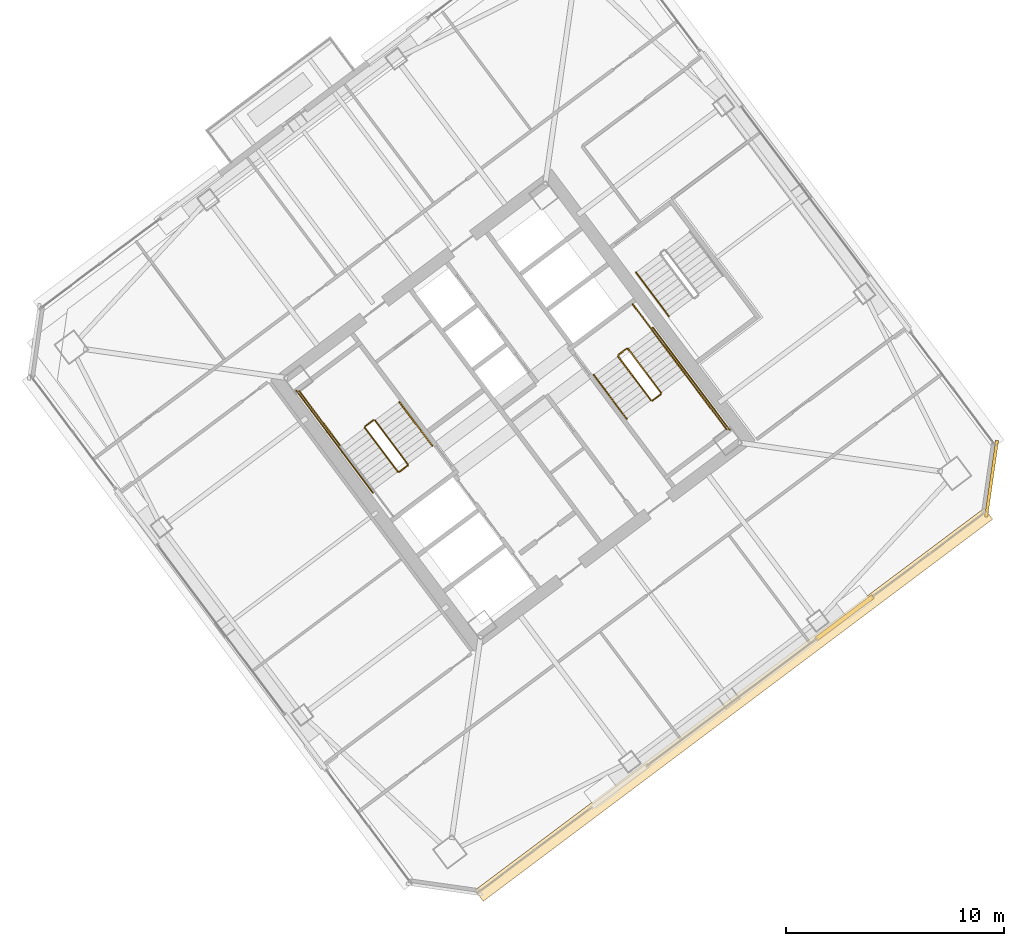
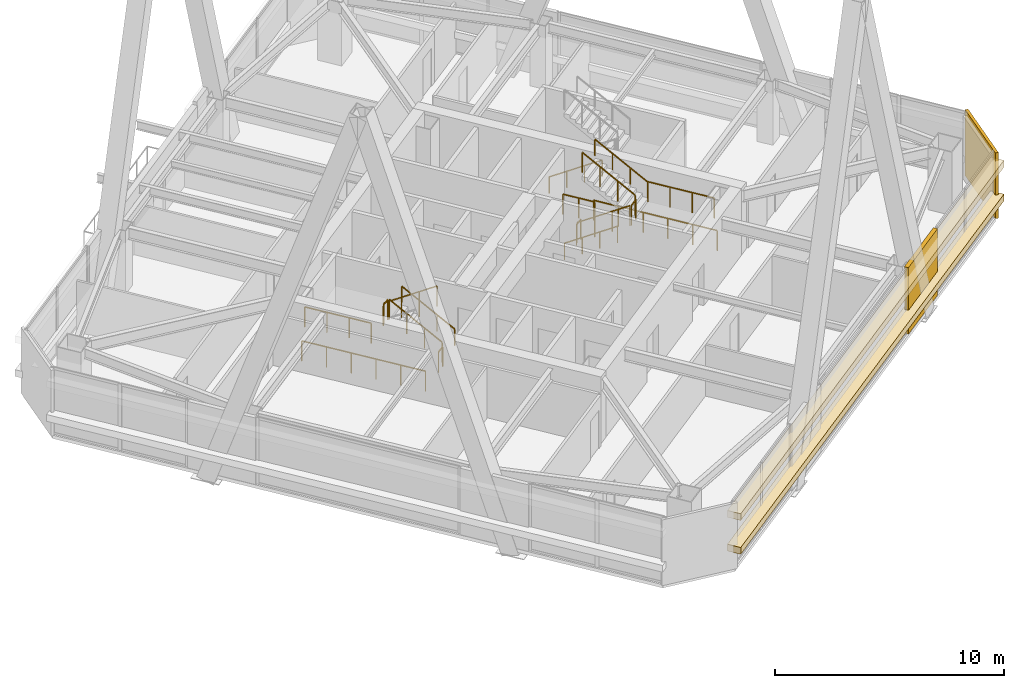
# One storey, part 53 of 55: 17 railings, 4 coverings.
"""IFC4 building model written with IfcOpenShell, lengths in metres."""

from ifc_helpers import new_model, si_unit, direction, frame, origin, origin_2d, place, context, subcontext, project, spatial, rectangle, extrude, material, layer, layer_set, type_object, element, save


model = new_model("IFC4")

# Units and contexts
model_context = context("Model", 3, precision=1e-05, world=origin(), true_north=direction((0.0, 1.0)))
body_context = subcontext(model_context, "Body", "Model", "MODEL_VIEW")
ifc_project = project(units=[si_unit("LENGTHUNIT", "METRE"), si_unit("AREAUNIT", "SQUARE_METRE"), si_unit("VOLUMEUNIT", "CUBIC_METRE"), si_unit("PLANEANGLEUNIT", "RADIAN"), si_unit("MASSUNIT", "GRAM", prefix="KILO")], contexts=[model_context])

# Site, building, storey
site_placement = place(None, origin())
site = spatial("IfcSite", under=ifc_project, at=site_placement, CompositionType="ELEMENT")
building_placement = place(site_placement, origin())
building = spatial("IfcBuilding", under=site, at=building_placement, Name="Tashvorn Skyway Center", CompositionType="ELEMENT")
storey_placement = place(building_placement, frame((0.0, 0.0, 178.300048828125)))
storey = spatial("IfcBuildingStorey", under=building, at=storey_placement, Name="L48", CompositionType="ELEMENT", Elevation=178.300048828125)

# Coverings
ifc_material_1 = material(Name="Precast concrete C40/50", Category="concrete")
ifc_layer_1 = layer(ifc_material_1, 0.199951171875)
ifc_layer_set_1 = layer_set([ifc_layer_1], Name="Precast concrete C40/50")
covering_type_1 = type_object("IfcCoveringType", Name="COV-BRACE-CLAD", PredefinedType="CLADDING", material=ifc_layer_set_1)
covering_1_placement = place(storey_placement, frame((129.251953125, 22.464111328125, 0.0), z_axis=(0.0, 0.0, 1.0), x_axis=(-0.799999996291, -0.600000004945, 0.0)))
element("IfcCovering", 1, at=covering_1_placement, inside=storey, type_object=covering_type_1, Name="Tower 2 L48 South Unitised Curtain Wall Mega-Brace Cladding Band 1", PredefinedType="CLADDING", context=body_context, shape_type="SweptSolid", body=[
    extrude(rectangle(XDim=3.239990234375, YDim=0.199951171875, at=origin_2d()), origin(), (0.0, 0.0, 1.0), 3.550048828125),
])
ifc_material_2 = material(Name="Perforated ceramic-coated bronze aluminium solar screen", Category="aluminium")
ifc_layer_2 = layer(ifc_material_2, 0.85009765625)
ifc_layer_set_2 = layer_set([ifc_layer_2], Name="Perforated ceramic-coated bronze aluminium solar screen")
covering_type_2 = type_object("IfcCoveringType", Name="COV-SOLAR-BAND", PredefinedType="CLADDING", material=ifc_layer_set_2)
for number, where, z_axis, x_axis, name in (
    (2, (124.152099609375, 18.464111328125, 0.919921875), (0.0, 0.0, 1.0), (-0.799999996291, -0.600000004945, 0.0), "L48 Perforated Ceramic-Metal Solar Screen Louvre Band South 1"),
    (3, (124.152099609375, 18.464111328125, 2.7197265625), (0.0, 0.0, 1.0), (-0.799999996291, -0.600000004945, 0.0), "L48 Perforated Ceramic-Metal Solar Screen Louvre Band South 2"),
):
    element("IfcCovering", number, at=place(storey_placement, frame(where, z_axis=z_axis, x_axis=x_axis)), inside=storey, type_object=covering_type_2, Name=name, PredefinedType="CLADDING", context=body_context, shape_type="SweptSolid", body=[
        extrude(rectangle(XDim=29.280029296875, YDim=0.639892578125, at=origin_2d()), origin(), (0.0, 0.0, 1.0), 0.360107421875),
    ])
ifc_layer_3 = layer(ifc_material_1, 0.35009765625)
ifc_layer_set_3 = layer_set([ifc_layer_3], Name="Precast concrete C40/50")
covering_type_3 = type_object("IfcCoveringType", Name="COV-STONE-TRIM", PredefinedType="CLADDING", material=ifc_layer_set_3)
covering_2_placement = place(storey_placement, frame((136.008056640625, 28.85595703125, 0.02001953125), z_axis=(0.0, 0.0, 1.0), x_axis=(0.141421350118, 0.989949494535, 0.0)))
element("IfcCovering", 4, at=covering_2_placement, inside=storey, type_object=covering_type_3, Name="Tower 2 L48 SE Mojave Limestone Corner Quoin", PredefinedType="CLADDING", context=body_context, shape_type="SweptSolid", body=[
    extrude(rectangle(XDim=3.55419921875, YDim=0.139892578125, at=origin_2d()), origin(), (0.0, 0.0, 1.0), 3.510009765625),
])

# Railings
ifc_material_3 = material(Name="Brushed stainless steel 316", Category="steel")
railing_type_1 = type_object("IfcRailingType", Name="RAIL-HAND-920", PredefinedType="HANDRAIL", material=ifc_material_3)
railing_1_placement = place(storey_placement, frame((110.2880859375, 30.365966796875, 0.177490234375)))
element("IfcRailing", 5, at=railing_1_placement, inside=storey, type_object=railing_type_1, Name="L48 ST-T2-1 stair handrail 1", PredefinedType="HANDRAIL", context=body_context, shape_type="SweptSolid", body=[
    extrude(rectangle(XDim=0.048095703125, YDim=0.048095703125, at=origin_2d()), frame((0.0, 0.0, 0.8759765625), z_axis=(-0.506801609611, 0.675680931896, 0.535357270211), x_axis=(-0.799976749893, -0.600030998891, 0.0)), (0.0, 0.0, 1.0), 2.98388671875),
    extrude(rectangle(XDim=0.0419921875, YDim=0.0419921875, at=origin_2d()), origin(), (0.0, 0.0, 1.0), 0.851806640625),
    extrude(rectangle(XDim=0.0419921875, YDim=0.0419921875, at=origin_2d()), frame((-0.504150390625, 0.672119140625, 0.532470703125)), (0.0, 0.0, 1.0), 0.851806640625),
    extrude(rectangle(XDim=0.0419921875, YDim=0.0419921875, at=origin_2d()), frame((-1.008056640625, 1.343994140625, 1.06494140625)), (0.0, 0.0, 1.0), 0.851806640625),
    extrude(rectangle(XDim=0.0419921875, YDim=0.0419921875, at=origin_2d()), frame((-1.51220703125, 2.01611328125, 1.597412109375)), (0.0, 0.0, 1.0), 0.851806640625),
])
railing_2_placement = place(storey_placement, frame((117.7119140625, 33.634033203125, 0.177490234375)))
element("IfcRailing", 6, at=railing_2_placement, inside=storey, type_object=railing_type_1, Name="L48 ST-T2-2 stair handrail 1", PredefinedType="HANDRAIL", context=body_context, shape_type="SweptSolid", body=[
    extrude(rectangle(XDim=0.048095703125, YDim=0.048095703125, at=origin_2d()), frame((0.0, 0.0, 0.8759765625), z_axis=(0.506801609611, -0.675680931896, 0.535357270211), x_axis=(0.799976749893, 0.600030998891, 0.0)), (0.0, 0.0, 1.0), 2.98388671875),
    extrude(rectangle(XDim=0.0419921875, YDim=0.0419921875, at=origin_2d()), origin(), (0.0, 0.0, 1.0), 0.851806640625),
    extrude(rectangle(XDim=0.0419921875, YDim=0.0419921875, at=origin_2d()), frame((0.504150390625, -0.672119140625, 0.532470703125)), (0.0, 0.0, 1.0), 0.851806640625),
    extrude(rectangle(XDim=0.0419921875, YDim=0.0419921875, at=origin_2d()), frame((1.008056640625, -1.343994140625, 1.06494140625)), (0.0, 0.0, 1.0), 0.851806640625),
    extrude(rectangle(XDim=0.0419921875, YDim=0.0419921875, at=origin_2d()), frame((1.51220703125, -2.01611328125, 1.597412109375)), (0.0, 0.0, 1.0), 0.851806640625),
])
railing_3_placement = place(storey_placement, frame((121.927978515625, 33.64599609375, 1.952392578125)))
element("IfcRailing", 7, at=railing_3_placement, inside=storey, type_object=railing_type_1, Name="L48 ST-T2-2 stair handrail 2", PredefinedType="HANDRAIL", context=body_context, shape_type="SweptSolid", body=[
    extrude(rectangle(XDim=0.048095703125, YDim=0.048095703125, at=origin_2d()), frame((0.0, 0.0, 0.8759765625), z_axis=(-0.506718600913, 0.675679348675, 0.535437836974), x_axis=(-0.800023250257, -0.599968998406, 0.0)), (0.0, 0.0, 1.0), 2.98388671875),
    extrude(rectangle(XDim=0.0419921875, YDim=0.0419921875, at=origin_2d()), origin(), (0.0, 0.0, 1.0), 0.851806640625),
    extrude(rectangle(XDim=0.0419921875, YDim=0.0419921875, at=origin_2d()), frame((-0.50390625, 0.672119140625, 0.532470703125)), (0.0, 0.0, 1.0), 0.851806640625),
    extrude(rectangle(XDim=0.0419921875, YDim=0.0419921875, at=origin_2d()), frame((-1.008056640625, 1.343994140625, 1.065185546875)), (0.0, 0.0, 1.0), 0.851806640625),
    extrude(rectangle(XDim=0.0419921875, YDim=0.0419921875, at=origin_2d()), frame((-1.511962890625, 2.01611328125, 1.59765625)), (0.0, 0.0, 1.0), 0.851806640625),
])
railing_4_placement = place(storey_placement, frame((119.656005859375, 38.342041015625, 0.177490234375)))
element("IfcRailing", 8, at=railing_4_placement, inside=storey, type_object=railing_type_1, Name="L48 ST-T2-3 stair handrail 1", PredefinedType="HANDRAIL", context=body_context, shape_type="SweptSolid", body=[
    extrude(rectangle(XDim=0.048095703125, YDim=0.048095703125, at=origin_2d()), frame((0.0, 0.0, 0.8759765625), z_axis=(0.506740800098, -0.675708949977, 0.535379469569), x_axis=(0.800023250257, 0.599968998406, 0.0)), (0.0, 0.0, 1.0), 2.983642578125),
    extrude(rectangle(XDim=0.0419921875, YDim=0.0419921875, at=origin_2d()), origin(), (0.0, 0.0, 1.0), 0.851806640625),
    extrude(rectangle(XDim=0.0419921875, YDim=0.0419921875, at=origin_2d()), frame((0.50390625, -0.672119140625, 0.532470703125)), (0.0, 0.0, 1.0), 0.851806640625),
    extrude(rectangle(XDim=0.0419921875, YDim=0.0419921875, at=origin_2d()), frame((1.008056640625, -1.343994140625, 1.06494140625)), (0.0, 0.0, 1.0), 0.851806640625),
    extrude(rectangle(XDim=0.0419921875, YDim=0.0419921875, at=origin_2d()), frame((1.511962890625, -2.01611328125, 1.597412109375)), (0.0, 0.0, 1.0), 0.851806640625),
])
ifc_material_4 = material(Name="Painted galvanized steel S355", Category="steel")
railing_type_2 = type_object("IfcRailingType", Name="RAIL-STGUARD-1100", PredefinedType="GUARDRAIL", material=ifc_material_4)
railing_5_placement = place(storey_placement, frame((109.16796875, 29.52587890625, 0.177490234375)))
element("IfcRailing", 9, at=railing_5_placement, inside=storey, type_object=railing_type_2, Name="L48 ST-T2-1 stair guard 1", PredefinedType="GUARDRAIL", context=body_context, shape_type="SweptSolid", body=[
    extrude(rectangle(XDim=0.048095703125, YDim=0.048095703125, at=origin_2d()), frame((0.0, 0.0, 1.076171875), z_axis=(-0.506740800098, 0.675708949977, 0.535379469569), x_axis=(-0.800023250257, -0.599968998406, 0.0)), (0.0, 0.0, 1.0), 2.983642578125),
    extrude(rectangle(XDim=0.0419921875, YDim=0.0419921875, at=origin_2d()), origin(), (0.0, 0.0, 1.0), 1.052001953125),
    extrude(rectangle(XDim=0.0419921875, YDim=0.0419921875, at=origin_2d()), frame((-0.50390625, 0.672119140625, 0.532470703125)), (0.0, 0.0, 1.0), 1.052001953125),
    extrude(rectangle(XDim=0.0419921875, YDim=0.0419921875, at=origin_2d()), frame((-1.008056640625, 1.343994140625, 1.06494140625)), (0.0, 0.0, 1.0), 1.052001953125),
    extrude(rectangle(XDim=0.0419921875, YDim=0.0419921875, at=origin_2d()), frame((-1.511962890625, 2.01611328125, 1.597412109375)), (0.0, 0.0, 1.0), 1.052001953125),
])
railing_6_placement = place(storey_placement, frame((107.5859375, 31.552001953125, 1.77490234375)))
element("IfcRailing", 10, at=railing_6_placement, inside=storey, type_object=railing_type_2, Name="L48 ST-T2-1 stair guard 2", PredefinedType="GUARDRAIL", context=body_context, shape_type="SweptSolid", body=[
    extrude(rectangle(XDim=0.048095703125, YDim=0.048095703125, at=origin_2d()), frame((0.0, 0.0, 1.076171875), z_axis=(-0.799938970639, -0.600081363861, 0.0), x_axis=(0.600081363861, -0.799938970639, 0.0)), (0.0, 0.0, 1.0), 0.47998046875),
    extrude(rectangle(XDim=0.0419921875, YDim=0.0419921875, at=origin_2d()), origin(), (0.0, 0.0, 1.0), 1.052001953125),
    extrude(rectangle(XDim=0.0419921875, YDim=0.0419921875, at=origin_2d()), frame((-0.384033203125, -0.2880859375, 0.0)), (0.0, 0.0, 1.0), 1.052001953125),
])
railing_7_placement = place(storey_placement, frame((106.072021484375, 30.35400390625, 1.77490234375)))
element("IfcRailing", 11, at=railing_7_placement, inside=storey, type_object=railing_type_2, Name="L48 ST-T2-1 stair guard 3", PredefinedType="GUARDRAIL", context=body_context, shape_type="SweptSolid", body=[
    extrude(rectangle(XDim=0.048095703125, YDim=0.048095703125, at=origin_2d()), frame((0.0, 0.0, 1.076171875), z_axis=(-0.599987638607, 0.800009270896, 0.0), x_axis=(-0.800009270896, -0.599987638607, 0.0)), (0.0, 0.0, 1.0), 3.16015625),
    extrude(rectangle(XDim=0.0419921875, YDim=0.0419921875, at=origin_2d()), origin(), (0.0, 0.0, 1.0), 1.052001953125),
    extrude(rectangle(XDim=0.0419921875, YDim=0.0419921875, at=origin_2d()), frame((-0.632080078125, 0.8427734375, 0.0)), (0.0, 0.0, 1.0), 1.052001953125),
    extrude(rectangle(XDim=0.0419921875, YDim=0.0419921875, at=origin_2d()), frame((-1.263916015625, 1.685302734375, 0.0)), (0.0, 0.0, 1.0), 1.052001953125),
    extrude(rectangle(XDim=0.0419921875, YDim=0.0419921875, at=origin_2d()), frame((-1.89599609375, 2.528076171875, 0.0)), (0.0, 0.0, 1.0), 1.052001953125),
])
railing_8_placement = place(storey_placement, frame((107.19189453125, 31.194091796875, 1.952392578125)))
element("IfcRailing", 12, at=railing_8_placement, inside=storey, type_object=railing_type_2, Name="L48 ST-T2-1 stair guard 4", PredefinedType="GUARDRAIL", context=body_context, shape_type="SweptSolid", body=[
    extrude(rectangle(XDim=0.048095703125, YDim=0.048095703125, at=origin_2d()), frame((0.0, 0.0, 1.076171875), z_axis=(0.506779409603, -0.675651334276, 0.53541563714), x_axis=(0.799976749893, 0.600030998891, 0.0)), (0.0, 0.0, 1.0), 2.98388671875),
    extrude(rectangle(XDim=0.0419921875, YDim=0.0419921875, at=origin_2d()), origin(), (0.0, 0.0, 1.0), 1.052001953125),
    extrude(rectangle(XDim=0.0419921875, YDim=0.0419921875, at=origin_2d()), frame((0.504150390625, -0.672119140625, 0.532470703125)), (0.0, 0.0, 1.0), 1.052001953125),
    extrude(rectangle(XDim=0.0419921875, YDim=0.0419921875, at=origin_2d()), frame((1.008056640625, -1.343994140625, 1.065185546875)), (0.0, 0.0, 1.0), 1.052001953125),
    extrude(rectangle(XDim=0.0419921875, YDim=0.0419921875, at=origin_2d()), frame((1.51220703125, -2.01611328125, 1.59765625)), (0.0, 0.0, 1.0), 1.052001953125),
])
railing_9_placement = place(storey_placement, frame((109.157958984375, 29.4560546875, 0.0)))
element("IfcRailing", 13, at=railing_9_placement, inside=storey, type_object=railing_type_2, Name="L48 ST-T2-1 stair guard 5", PredefinedType="GUARDRAIL", context=body_context, shape_type="SweptSolid", body=[
    extrude(rectangle(XDim=0.048095703125, YDim=0.048095703125, at=origin_2d()), frame((0.0, 0.0, 1.076171875), z_axis=(-0.799938970639, -0.600081363861, 0.0), x_axis=(0.600081363861, -0.799938970639, 0.0)), (0.0, 0.0, 1.0), 0.47998046875),
    extrude(rectangle(XDim=0.0419921875, YDim=0.0419921875, at=origin_2d()), origin(), (0.0, 0.0, 1.0), 1.052001953125),
    extrude(rectangle(XDim=0.0419921875, YDim=0.0419921875, at=origin_2d()), frame((-0.384033203125, -0.2880859375, 0.0)), (0.0, 0.0, 1.0), 1.052001953125),
])
railing_10_placement = place(storey_placement, frame((107.56396484375, 28.197998046875, 0.0)))
element("IfcRailing", 14, at=railing_10_placement, inside=storey, type_object=railing_type_2, Name="L48 ST-T2-1 stair guard 7", PredefinedType="GUARDRAIL", context=body_context, shape_type="SweptSolid", body=[
    extrude(rectangle(XDim=0.048095703125, YDim=0.048095703125, at=origin_2d()), frame((0.0, 0.0, 1.076171875), z_axis=(-0.6, 0.8, 0.0), x_axis=(-0.8, -0.6, 0.0)), (0.0, 0.0, 1.0), 5.880126953125),
    extrude(rectangle(XDim=0.0419921875, YDim=0.0419921875, at=origin_2d()), origin(), (0.0, 0.0, 1.0), 1.052001953125),
    extrude(rectangle(XDim=0.0419921875, YDim=0.0419921875, at=origin_2d()), frame((-0.70556640625, 0.94091796875, 0.0)), (0.0, 0.0, 1.0), 1.052001953125),
    extrude(rectangle(XDim=0.0419921875, YDim=0.0419921875, at=origin_2d()), frame((-1.4111328125, 1.881591796875, 0.0)), (0.0, 0.0, 1.0), 1.052001953125),
    extrude(rectangle(XDim=0.0419921875, YDim=0.0419921875, at=origin_2d()), frame((-2.116943359375, 2.822509765625, 0.0)), (0.0, 0.0, 1.0), 1.052001953125),
    extrude(rectangle(XDim=0.0419921875, YDim=0.0419921875, at=origin_2d()), frame((-2.822509765625, 3.76318359375, 0.0)), (0.0, 0.0, 1.0), 1.052001953125),
    extrude(rectangle(XDim=0.0419921875, YDim=0.0419921875, at=origin_2d()), frame((-3.528076171875, 4.7041015625, 0.0)), (0.0, 0.0, 1.0), 1.052001953125),
])
railing_11_placement = place(storey_placement, frame((118.83203125, 34.47412109375, 0.177490234375)))
element("IfcRailing", 15, at=railing_11_placement, inside=storey, type_object=railing_type_2, Name="L48 ST-T2-2 stair guard 1", PredefinedType="GUARDRAIL", context=body_context, shape_type="SweptSolid", body=[
    extrude(rectangle(XDim=0.048095703125, YDim=0.048095703125, at=origin_2d()), frame((0.0, 0.0, 1.076171875), z_axis=(0.506740800098, -0.675708949977, 0.535379469569), x_axis=(0.800023250257, 0.599968998406, 0.0)), (0.0, 0.0, 1.0), 2.983642578125),
    extrude(rectangle(XDim=0.0419921875, YDim=0.0419921875, at=origin_2d()), origin(), (0.0, 0.0, 1.0), 1.052001953125),
    extrude(rectangle(XDim=0.0419921875, YDim=0.0419921875, at=origin_2d()), frame((0.50390625, -0.672119140625, 0.532470703125)), (0.0, 0.0, 1.0), 1.052001953125),
    extrude(rectangle(XDim=0.0419921875, YDim=0.0419921875, at=origin_2d()), frame((1.008056640625, -1.343994140625, 1.06494140625)), (0.0, 0.0, 1.0), 1.052001953125),
    extrude(rectangle(XDim=0.0419921875, YDim=0.0419921875, at=origin_2d()), frame((1.511962890625, -2.01611328125, 1.597412109375)), (0.0, 0.0, 1.0), 1.052001953125),
])
railing_12_placement = place(storey_placement, frame((120.4140625, 32.447998046875, 1.77490234375)))
element("IfcRailing", 16, at=railing_12_placement, inside=storey, type_object=railing_type_2, Name="L48 ST-T2-2 stair guard 2", PredefinedType="GUARDRAIL", context=body_context, shape_type="SweptSolid", body=[
    extrude(rectangle(XDim=0.048095703125, YDim=0.048095703125, at=origin_2d()), frame((0.0, 0.0, 1.076171875), z_axis=(0.799938970639, 0.600081363861, 0.0), x_axis=(-0.600081363861, 0.799938970639, 0.0)), (0.0, 0.0, 1.0), 0.47998046875),
    extrude(rectangle(XDim=0.0419921875, YDim=0.0419921875, at=origin_2d()), origin(), (0.0, 0.0, 1.0), 1.052001953125),
    extrude(rectangle(XDim=0.0419921875, YDim=0.0419921875, at=origin_2d()), frame((0.384033203125, 0.2880859375, 0.0)), (0.0, 0.0, 1.0), 1.052001953125),
])
railing_13_placement = place(storey_placement, frame((121.927978515625, 33.64599609375, 1.77490234375)))
element("IfcRailing", 17, at=railing_13_placement, inside=storey, type_object=railing_type_2, Name="L48 ST-T2-2 stair guard 3", PredefinedType="GUARDRAIL", context=body_context, shape_type="SweptSolid", body=[
    extrude(rectangle(XDim=0.048095703125, YDim=0.048095703125, at=origin_2d()), frame((0.0, 0.0, 1.076171875), z_axis=(0.599987638607, -0.800009270896, 0.0), x_axis=(0.800009270896, 0.599987638607, 0.0)), (0.0, 0.0, 1.0), 3.16015625),
    extrude(rectangle(XDim=0.0419921875, YDim=0.0419921875, at=origin_2d()), origin(), (0.0, 0.0, 1.0), 1.052001953125),
    extrude(rectangle(XDim=0.0419921875, YDim=0.0419921875, at=origin_2d()), frame((0.632080078125, -0.8427734375, 0.0)), (0.0, 0.0, 1.0), 1.052001953125),
    extrude(rectangle(XDim=0.0419921875, YDim=0.0419921875, at=origin_2d()), frame((1.263916015625, -1.685302734375, 0.0)), (0.0, 0.0, 1.0), 1.052001953125),
    extrude(rectangle(XDim=0.0419921875, YDim=0.0419921875, at=origin_2d()), frame((1.89599609375, -2.528076171875, 0.0)), (0.0, 0.0, 1.0), 1.052001953125),
])
railing_14_placement = place(storey_placement, frame((120.80810546875, 32.805908203125, 1.952392578125)))
element("IfcRailing", 18, at=railing_14_placement, inside=storey, type_object=railing_type_2, Name="L48 ST-T2-2 stair guard 4", PredefinedType="GUARDRAIL", context=body_context, shape_type="SweptSolid", body=[
    extrude(rectangle(XDim=0.048095703125, YDim=0.048095703125, at=origin_2d()), frame((0.0, 0.0, 1.076171875), z_axis=(-0.506779409603, 0.675651334276, 0.53541563714), x_axis=(-0.799976749893, -0.600030998891, 0.0)), (0.0, 0.0, 1.0), 2.98388671875),
    extrude(rectangle(XDim=0.0419921875, YDim=0.0419921875, at=origin_2d()), origin(), (0.0, 0.0, 1.0), 1.052001953125),
    extrude(rectangle(XDim=0.0419921875, YDim=0.0419921875, at=origin_2d()), frame((-0.504150390625, 0.672119140625, 0.532470703125)), (0.0, 0.0, 1.0), 1.052001953125),
    extrude(rectangle(XDim=0.0419921875, YDim=0.0419921875, at=origin_2d()), frame((-1.008056640625, 1.343994140625, 1.065185546875)), (0.0, 0.0, 1.0), 1.052001953125),
    extrude(rectangle(XDim=0.0419921875, YDim=0.0419921875, at=origin_2d()), frame((-1.51220703125, 2.01611328125, 1.59765625)), (0.0, 0.0, 1.0), 1.052001953125),
])
railing_15_placement = place(storey_placement, frame((118.842041015625, 34.5439453125, 0.0)))
element("IfcRailing", 19, at=railing_15_placement, inside=storey, type_object=railing_type_2, Name="L48 ST-T2-2 stair guard 5", PredefinedType="GUARDRAIL", context=body_context, shape_type="SweptSolid", body=[
    extrude(rectangle(XDim=0.048095703125, YDim=0.048095703125, at=origin_2d()), frame((0.0, 0.0, 1.076171875), z_axis=(0.799938970639, 0.600081363861, 0.0), x_axis=(-0.600081363861, 0.799938970639, 0.0)), (0.0, 0.0, 1.0), 0.47998046875),
    extrude(rectangle(XDim=0.0419921875, YDim=0.0419921875, at=origin_2d()), origin(), (0.0, 0.0, 1.0), 1.052001953125),
    extrude(rectangle(XDim=0.0419921875, YDim=0.0419921875, at=origin_2d()), frame((0.384033203125, 0.2880859375, 0.0)), (0.0, 0.0, 1.0), 1.052001953125),
])
railing_16_placement = place(storey_placement, frame((119.50390625, 36.8779296875, 0.0)))
element("IfcRailing", 20, at=railing_16_placement, inside=storey, type_object=railing_type_2, Name="L48 ST-T2-2 stair guard 6", PredefinedType="GUARDRAIL", context=body_context, shape_type="SweptSolid", body=[
    extrude(rectangle(XDim=0.048095703125, YDim=0.048095703125, at=origin_2d()), frame((0.0, 0.0, 1.076171875), z_axis=(0.600102796382, -0.799922892393, 0.0), x_axis=(0.799922892393, 0.600102796382, 0.0)), (0.0, 0.0, 1.0), 1.52001953125),
    extrude(rectangle(XDim=0.0419921875, YDim=0.0419921875, at=origin_2d()), origin(), (0.0, 0.0, 1.0), 1.052001953125),
    extrude(rectangle(XDim=0.0419921875, YDim=0.0419921875, at=origin_2d()), frame((0.4560546875, -0.60791015625, 0.0)), (0.0, 0.0, 1.0), 1.052001953125),
    extrude(rectangle(XDim=0.0419921875, YDim=0.0419921875, at=origin_2d()), frame((0.912109375, -1.2158203125, 0.0)), (0.0, 0.0, 1.0), 1.052001953125),
])
railing_17_placement = place(storey_placement, frame((120.43603515625, 35.802001953125, 0.0)))
element("IfcRailing", 21, at=railing_17_placement, inside=storey, type_object=railing_type_2, Name="L48 ST-T2-2 stair guard 7", PredefinedType="GUARDRAIL", context=body_context, shape_type="SweptSolid", body=[
    extrude(rectangle(XDim=0.048095703125, YDim=0.048095703125, at=origin_2d()), frame((0.0, 0.0, 1.076171875), z_axis=(0.6, -0.8, 0.0), x_axis=(0.8, 0.6, 0.0)), (0.0, 0.0, 1.0), 5.880126953125),
    extrude(rectangle(XDim=0.0419921875, YDim=0.0419921875, at=origin_2d()), origin(), (0.0, 0.0, 1.0), 1.052001953125),
    extrude(rectangle(XDim=0.0419921875, YDim=0.0419921875, at=origin_2d()), frame((0.70556640625, -0.94091796875, 0.0)), (0.0, 0.0, 1.0), 1.052001953125),
    extrude(rectangle(XDim=0.0419921875, YDim=0.0419921875, at=origin_2d()), frame((1.4111328125, -1.881591796875, 0.0)), (0.0, 0.0, 1.0), 1.052001953125),
    extrude(rectangle(XDim=0.0419921875, YDim=0.0419921875, at=origin_2d()), frame((2.116943359375, -2.822509765625, 0.0)), (0.0, 0.0, 1.0), 1.052001953125),
    extrude(rectangle(XDim=0.0419921875, YDim=0.0419921875, at=origin_2d()), frame((2.822509765625, -3.76318359375, 0.0)), (0.0, 0.0, 1.0), 1.052001953125),
    extrude(rectangle(XDim=0.0419921875, YDim=0.0419921875, at=origin_2d()), frame((3.528076171875, -4.7041015625, 0.0)), (0.0, 0.0, 1.0), 1.052001953125),
])

save(model, "model.ifc")
